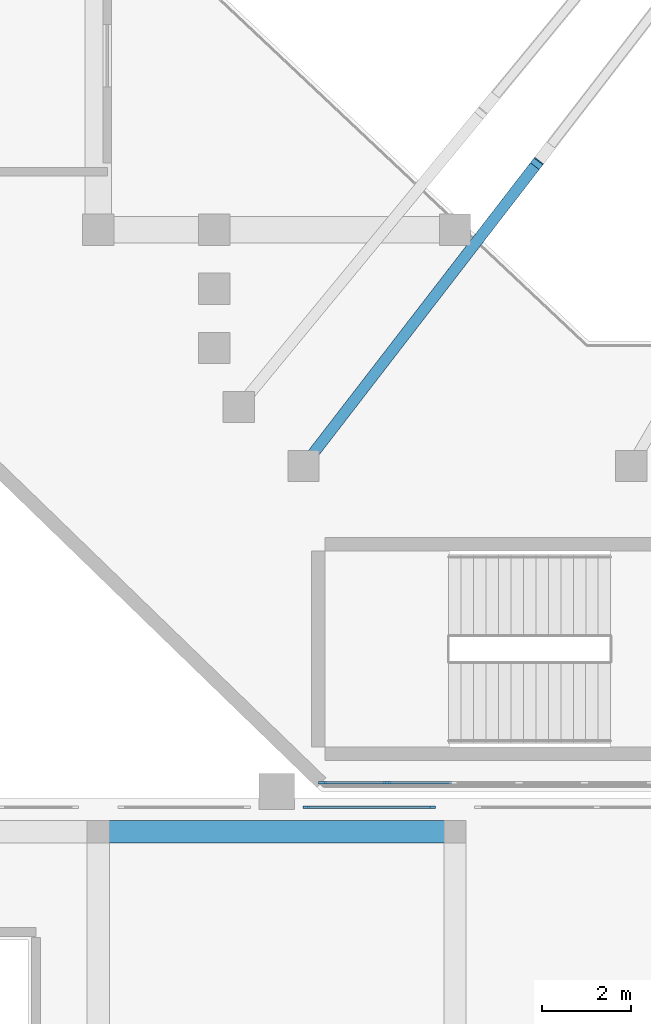
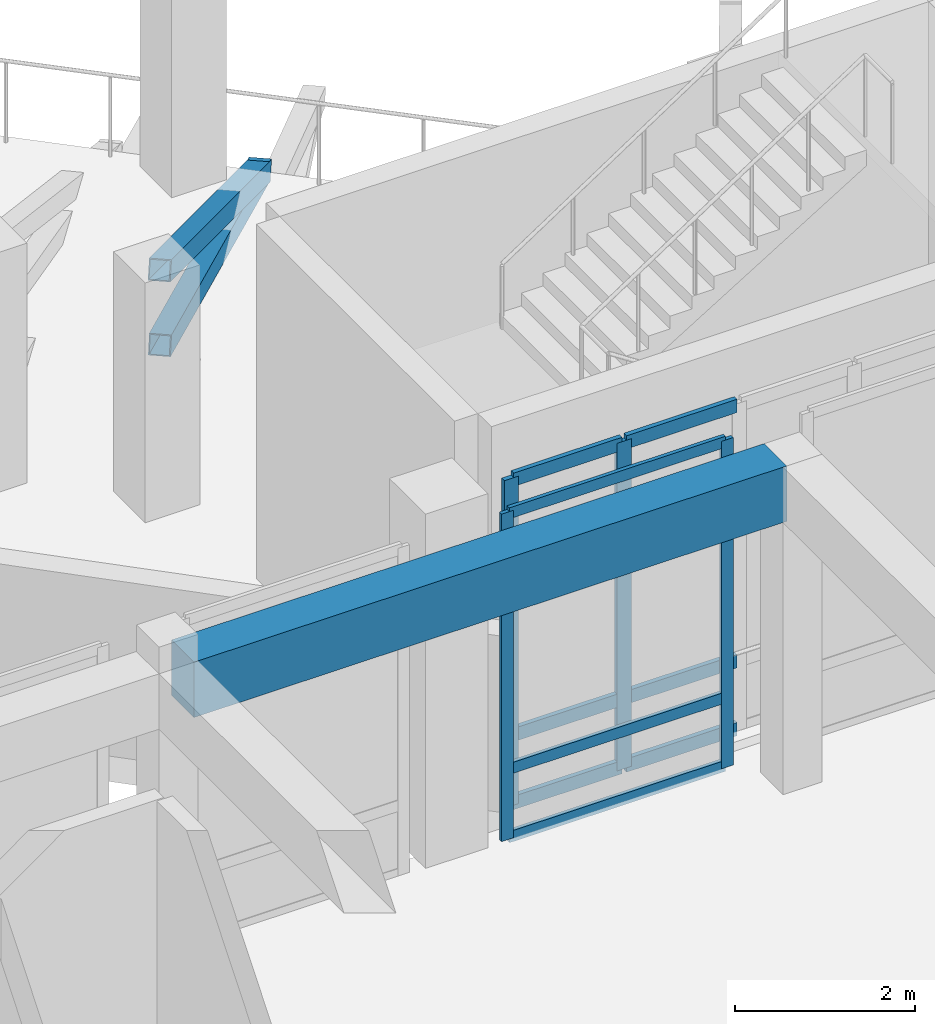
# One storey, part 6 of 79: 15 members, 1 beam, 2 elements without a shape of their own.
"""IFC4 building model written with IfcOpenShell, lengths in metres."""

from ifc_helpers import new_model, si_unit, derived_unit, direction, frame, origin, origin_2d, place, context, subcontext, project, spatial, rectangle, hollow_rectangle, extrude, material, layer, layer_set, material_profile, profile_set, type_object, element, aggregate, save


model = new_model("IFC4")

# Units and contexts
model_context = context("Model", 3, precision=1e-05, world=origin(), true_north=direction((0.0, 1.0)))
body_context = subcontext(model_context, "Body", "Model", "MODEL_VIEW")
ifc_project = project(units=[si_unit("LENGTHUNIT", "METRE"), si_unit("AREAUNIT", "SQUARE_METRE"), si_unit("VOLUMEUNIT", "CUBIC_METRE"), si_unit("PLANEANGLEUNIT", "RADIAN"), si_unit("MASSUNIT", "GRAM", prefix="KILO"), derived_unit("THERMALTRANSMITTANCEUNIT", [(si_unit("MASSUNIT", "GRAM", prefix="KILO"), 1), (si_unit("TIMEUNIT", "SECOND"), -3), (si_unit("THERMODYNAMICTEMPERATUREUNIT", "KELVIN"), -1)])], contexts=[model_context])

# Site, building, storey
site_placement = place(None, origin())
site = spatial("IfcSite", under=ifc_project, at=site_placement, CompositionType="ELEMENT")
building_placement = place(site_placement, origin())
building = spatial("IfcBuilding", under=site, at=building_placement, Name="Valcora Ridge Arena", CompositionType="ELEMENT")
storey_placement = place(building_placement, frame((0.0, 0.0, 16.199951171875)))
storey = spatial("IfcBuildingStorey", under=building, at=storey_placement, Name="L03", CompositionType="ELEMENT", Elevation=16.199951171875)

# Beam
ifc_material_1 = material(Name="Concrete C40/50", Category="concrete")
ifc_material_profile_1 = material_profile(ifc_material_1, rectangle(XDim=0.5, YDim=0.75, at=origin_2d()), Name="RC 500x750")
ifc_profile_set_1 = profile_set([ifc_material_profile_1], Name="Concrete C40/50")
beam_type = type_object("IfcBeamType", Name="TY-BEAM-B-RC500-X", PredefinedType="BEAM", material=ifc_profile_set_1)
beam_placement = place(storey_placement, frame((24.199951171875, 19.10009765625, 4.06494140625), z_axis=(1.0, 0.0, 0.0), x_axis=(0.0, 1.0, 0.0)))
element("IfcBeam", 1, at=beam_placement, inside=storey, type_object=beam_type, Name="B-RC500-X BEM-B-RC500-X-0082", PredefinedType="BEAM", context=body_context, shape_type="SweptSolid", body=[
    extrude(rectangle(XDim=0.5, YDim=0.75, at=origin_2d()), origin(), (0.0, 0.0, 1.0), 7.60009765625),
])

# Curtain wall, members
ifc_material_2 = material(Name="Anodised dark bronze architectural aluminium 6063-T6", Category="aluminium")
ifc_layer_1 = layer(ifc_material_2, 0.14990234375, Name="Anodised dark bronze architectural aluminium 6063-T6")
ifc_layer_set_1 = layer_set([ifc_layer_1], Name="Anodised dark bronze architectural aluminium 6063-T6")
curtain_wall_type_1 = type_object("IfcCurtainWallType", Name="TY-CURTAINWALL-CW-V4-CLUB-029X44", PredefinedType="NOTDEFINED", material=ifc_layer_set_1)
curtain_wall_1_placement = place(storey_placement, origin())
curtain_wall_1 = element("IfcCurtainWall", 2, at=curtain_wall_1_placement, inside=storey, type_object=curtain_wall_type_1, Name="CW-V4-CLUB-029X44 CW-0282", PredefinedType="NOTDEFINED")
ifc_material_profile_2 = material_profile(ifc_material_2, rectangle(XDim=0.050048828125, YDim=0.14990234375, at=origin_2d()), Name="ALU MULLION 50x150")
ifc_profile_set_2 = profile_set([ifc_material_profile_2], Name="Anodised dark bronze architectural aluminium 6063-T6")
member_type_1 = type_object("IfcMemberType", Name="TY-MEM-CWM-50x150", PredefinedType="MULLION", material=ifc_profile_set_2)
member_1_placement = place(storey_placement, frame((28.6650390625, 19.64990234375, 0.0), z_axis=(0.0, 0.0, 1.0), x_axis=(0.0, 1.0, 0.0)))
member_1 = element("IfcMember", 3, at=member_1_placement, type_object=member_type_1, Name="CW-0282/CWM-50x150/M00", PredefinedType="MULLION", context=body_context, shape_type="SweptSolid", body=[
    extrude(rectangle(XDim=0.050048828125, YDim=0.14990234375, at=origin_2d()), origin(), (0.0, 0.0, 1.0), 4.43994140625),
])
member_2_placement = place(storey_placement, frame((31.485107421875, 19.64990234375, 0.0), z_axis=(0.0, 0.0, 1.0), x_axis=(0.0, 1.0, 0.0)))
member_2 = element("IfcMember", 4, at=member_2_placement, type_object=member_type_1, Name="CW-0282/CWM-50x150/M01", PredefinedType="MULLION", context=body_context, shape_type="SweptSolid", body=[
    extrude(rectangle(XDim=0.050048828125, YDim=0.14990234375, at=origin_2d()), origin(), (0.0, 0.0, 1.0), 4.43994140625),
])

ifc_layer_2 = layer(ifc_material_2, 0.179931640625, Name="Anodised dark bronze architectural aluminium 6063-T6")
ifc_layer_set_2 = layer_set([ifc_layer_2], Name="Anodised dark bronze architectural aluminium 6063-T6")
curtain_wall_type_2 = type_object("IfcCurtainWallType", Name="TY-CURTAINWALL-CW-V1-GOTH-089X44", PredefinedType="NOTDEFINED", material=ifc_layer_set_2)
curtain_wall_2_placement = place(storey_placement, origin())
curtain_wall_2 = element("IfcCurtainWall", 5, at=curtain_wall_2_placement, inside=storey, type_object=curtain_wall_type_2, Name="CW-V1-GOTH-089X44 CW-0136", PredefinedType="NOTDEFINED")
ifc_material_profile_3 = material_profile(ifc_material_2, rectangle(XDim=0.06005859375, YDim=0.179931640625, at=origin_2d()), Name="ALU MULLION 60x180")
ifc_profile_set_3 = profile_set([ifc_material_profile_3], Name="Anodised dark bronze architectural aluminium 6063-T6")
member_type_2 = type_object("IfcMemberType", Name="TY-MEM-CWM-60x180", PredefinedType="MULLION", material=ifc_profile_set_3)
member_3_placement = place(storey_placement, frame((29.030029296875, 20.199951171875, 0.0), z_axis=(0.0, 0.0, 1.0), x_axis=(0.0, 1.0, 0.0)))
member_3 = element("IfcMember", 6, at=member_3_placement, type_object=member_type_2, Name="CW-0136/CWM-60x180/M00", PredefinedType="MULLION", context=body_context, shape_type="SweptSolid", body=[
    extrude(rectangle(XDim=0.06005859375, YDim=0.179931640625, at=origin_2d()), origin(), (0.0, 0.0, 1.0), 4.43994140625),
])
member_4_placement = place(storey_placement, frame((30.476806640625, 20.199951171875, 0.0), z_axis=(0.0, 0.0, 1.0), x_axis=(0.0, 1.0, 0.0)))
member_4 = element("IfcMember", 7, at=member_4_placement, type_object=member_type_2, Name="CW-0136/CWM-60x180/M01", PredefinedType="MULLION", context=body_context, shape_type="SweptSolid", body=[
    extrude(rectangle(XDim=0.06005859375, YDim=0.179931640625, at=origin_2d()), origin(), (0.0, 0.0, 1.0), 4.43994140625),
])

# Member
ifc_material_profile_4 = material_profile(ifc_material_2, rectangle(XDim=0.050048828125, YDim=0.14990234375, at=origin_2d()), Name="ALU TRANSOM 50x150")
ifc_profile_set_4 = profile_set([ifc_material_profile_4], Name="Anodised dark bronze architectural aluminium 6063-T6")
member_type_3 = type_object("IfcMemberType", Name="TY-MEM-CWT-50x150", PredefinedType="USERDEFINED", material=ifc_profile_set_4)
member_5_placement = place(storey_placement, frame((28.68994140625, 19.64990234375, 0.025146484375), z_axis=(1.0, 0.0, 0.0), x_axis=(0.0, 1.0, 0.0)))
member_5 = element("IfcMember", 8, at=member_5_placement, type_object=member_type_3, Name="CW-0282/CWT-50x150/T00-00", ObjectType="TRANSOM", PredefinedType="USERDEFINED", context=body_context, shape_type="SweptSolid", body=[
    extrude(rectangle(XDim=0.050048828125, YDim=0.14990234375, at=origin_2d()), origin(), (0.0, 0.0, 1.0), 2.77001953125),
])

member_6_placement = place(storey_placement, frame((28.68994140625, 19.64990234375, 0.949951171875), z_axis=(1.0, 0.0, 0.0), x_axis=(0.0, 1.0, 0.0)))
member_6 = element("IfcMember", 9, at=member_6_placement, type_object=member_type_3, Name="CW-0282/CWT-50x150/T00-01", ObjectType="TRANSOM", PredefinedType="USERDEFINED", context=body_context, shape_type="SweptSolid", body=[
    extrude(rectangle(XDim=0.050048828125, YDim=0.14990234375, at=origin_2d()), origin(), (0.0, 0.0, 1.0), 2.77001953125),
])

member_7_placement = place(storey_placement, frame((28.68994140625, 19.64990234375, 4.4150390625), z_axis=(1.0, 0.0, 0.0), x_axis=(0.0, 1.0, 0.0)))
member_7 = element("IfcMember", 10, at=member_7_placement, type_object=member_type_3, Name="CW-0282/CWT-50x150/T00-02", ObjectType="TRANSOM", PredefinedType="USERDEFINED", context=body_context, shape_type="SweptSolid", body=[
    extrude(rectangle(XDim=0.050048828125, YDim=0.14990234375, at=origin_2d()), origin(), (0.0, 0.0, 1.0), 2.77001953125),
])

aggregate(curtain_wall_1, [member_1, member_2, member_5, member_6, member_7])

ifc_material_profile_5 = material_profile(ifc_material_2, rectangle(XDim=0.06005859375, YDim=0.179931640625, at=origin_2d()), Name="ALU TRANSOM 60x180")
ifc_profile_set_5 = profile_set([ifc_material_profile_5], Name="Anodised dark bronze architectural aluminium 6063-T6")
member_type_4 = type_object("IfcMemberType", Name="TY-MEM-CWT-60x180", PredefinedType="USERDEFINED", material=ifc_profile_set_5)
member_8_placement = place(storey_placement, frame((29.06005859375, 20.199951171875, 0.030029296875), z_axis=(1.0, 0.0, 0.0), x_axis=(0.0, 1.0, 0.0)))
member_8 = element("IfcMember", 11, at=member_8_placement, type_object=member_type_4, Name="CW-0136/CWT-60x180/T00-00", ObjectType="TRANSOM", PredefinedType="USERDEFINED", context=body_context, shape_type="SweptSolid", body=[
    extrude(rectangle(XDim=0.06005859375, YDim=0.179931640625, at=origin_2d()), origin(), (0.0, 0.0, 1.0), 1.386962890625),
])

member_9_placement = place(storey_placement, frame((29.06005859375, 20.199951171875, 0.949951171875), z_axis=(1.0, 0.0, 0.0), x_axis=(0.0, 1.0, 0.0)))
member_9 = element("IfcMember", 12, at=member_9_placement, type_object=member_type_4, Name="CW-0136/CWT-60x180/T00-01", ObjectType="TRANSOM", PredefinedType="USERDEFINED", context=body_context, shape_type="SweptSolid", body=[
    extrude(rectangle(XDim=0.06005859375, YDim=0.179931640625, at=origin_2d()), origin(), (0.0, 0.0, 1.0), 1.386962890625),
])

member_10_placement = place(storey_placement, frame((29.06005859375, 20.199951171875, 4.41015625), z_axis=(1.0, 0.0, 0.0), x_axis=(0.0, 1.0, 0.0)))
member_10 = element("IfcMember", 13, at=member_10_placement, type_object=member_type_4, Name="CW-0136/CWT-60x180/T00-02", ObjectType="TRANSOM", PredefinedType="USERDEFINED", context=body_context, shape_type="SweptSolid", body=[
    extrude(rectangle(XDim=0.06005859375, YDim=0.179931640625, at=origin_2d()), origin(), (0.0, 0.0, 1.0), 1.386962890625),
])

member_11_placement = place(storey_placement, frame((30.507080078125, 20.199951171875, 0.030029296875), z_axis=(1.0, 0.0, 0.0), x_axis=(0.0, 1.0, 0.0)))
member_11 = element("IfcMember", 14, at=member_11_placement, type_object=member_type_4, Name="CW-0136/CWT-60x180/T01-00", ObjectType="TRANSOM", PredefinedType="USERDEFINED", context=body_context, shape_type="SweptSolid", body=[
    extrude(rectangle(XDim=0.06005859375, YDim=0.179931640625, at=origin_2d()), origin(), (0.0, 0.0, 1.0), 1.416015625),
])

member_12_placement = place(storey_placement, frame((30.507080078125, 20.199951171875, 0.949951171875), z_axis=(1.0, 0.0, 0.0), x_axis=(0.0, 1.0, 0.0)))
member_12 = element("IfcMember", 15, at=member_12_placement, type_object=member_type_4, Name="CW-0136/CWT-60x180/T01-01", ObjectType="TRANSOM", PredefinedType="USERDEFINED", context=body_context, shape_type="SweptSolid", body=[
    extrude(rectangle(XDim=0.06005859375, YDim=0.179931640625, at=origin_2d()), origin(), (0.0, 0.0, 1.0), 1.416015625),
])

member_13_placement = place(storey_placement, frame((30.507080078125, 20.199951171875, 4.41015625), z_axis=(1.0, 0.0, 0.0), x_axis=(0.0, 1.0, 0.0)))
member_13 = element("IfcMember", 16, at=member_13_placement, type_object=member_type_4, Name="CW-0136/CWT-60x180/T01-02", ObjectType="TRANSOM", PredefinedType="USERDEFINED", context=body_context, shape_type="SweptSolid", body=[
    extrude(rectangle(XDim=0.06005859375, YDim=0.179931640625, at=origin_2d()), origin(), (0.0, 0.0, 1.0), 1.416015625),
])

aggregate(curtain_wall_2, [member_3, member_4, member_8, member_9, member_10, member_11, member_12, member_13])

# Members
ifc_material_3 = material(Name="Steel ASTM A500 Grade C", Category="steel")
ifc_material_profile_6 = material_profile(ifc_material_3, hollow_rectangle(XDim=0.25, YDim=0.25, WallThickness=0.012451171875, at=origin_2d()), Name="HSS250X250X12")
ifc_profile_set_6 = profile_set([ifc_material_profile_6], Name="Steel ASTM A500 Grade C")
member_type_5 = type_object("IfcMemberType", Name="TY-MEMBER-RKRUC-251", PredefinedType="CHORD", material=ifc_profile_set_6)
member_14_placement = place(storey_placement, frame((33.84912109375, 34.104248046875, -1.5185546875), z_axis=(-0.539339010653, -0.699110637887, 0.469422781277), x_axis=(0.791768513039, -0.610821268261, 0.0)))
element("IfcMember", 17, at=member_14_placement, inside=storey, type_object=member_type_5, Name="RKRUC-251 MBR-RK-RKRUC-251-0001", PredefinedType="CHORD", context=body_context, shape_type="SweptSolid", body=[
    extrude(hollow_rectangle(XDim=0.25, YDim=0.25, WallThickness=0.012451171875, at=origin_2d()), origin(), (0.0, 0.0, 1.0), 9.45263671875),
])
ifc_material_profile_7 = material_profile(ifc_material_3, hollow_rectangle(XDim=0.25, YDim=0.25, WallThickness=0.012451171875, at=origin_2d()), Name="HSS250X250X12")
ifc_profile_set_7 = profile_set([ifc_material_profile_7], Name="Steel ASTM A500 Grade C")
member_type_6 = type_object("IfcMemberType", Name="TY-MEMBER-RKRUT-250", PredefinedType="BRACE", material=ifc_profile_set_7)
member_15_placement = place(storey_placement, frame((33.841552734375, 34.0947265625, -1.494384765625), z_axis=(-0.565701100099, -0.733311209436, 0.377143123312), x_axis=(0.791780228759, -0.610806081622, 0.0)))
element("IfcMember", 18, at=member_15_placement, inside=storey, type_object=member_type_6, Name="RKRUT-250 Raker Tie Brace", PredefinedType="BRACE", context=body_context, shape_type="SweptSolid", body=[
    extrude(hollow_rectangle(XDim=0.25, YDim=0.25, WallThickness=0.012451171875, at=origin_2d()), origin(), (0.0, 0.0, 1.0), 8.98583984375),
])

save(model, "model.ifc")
